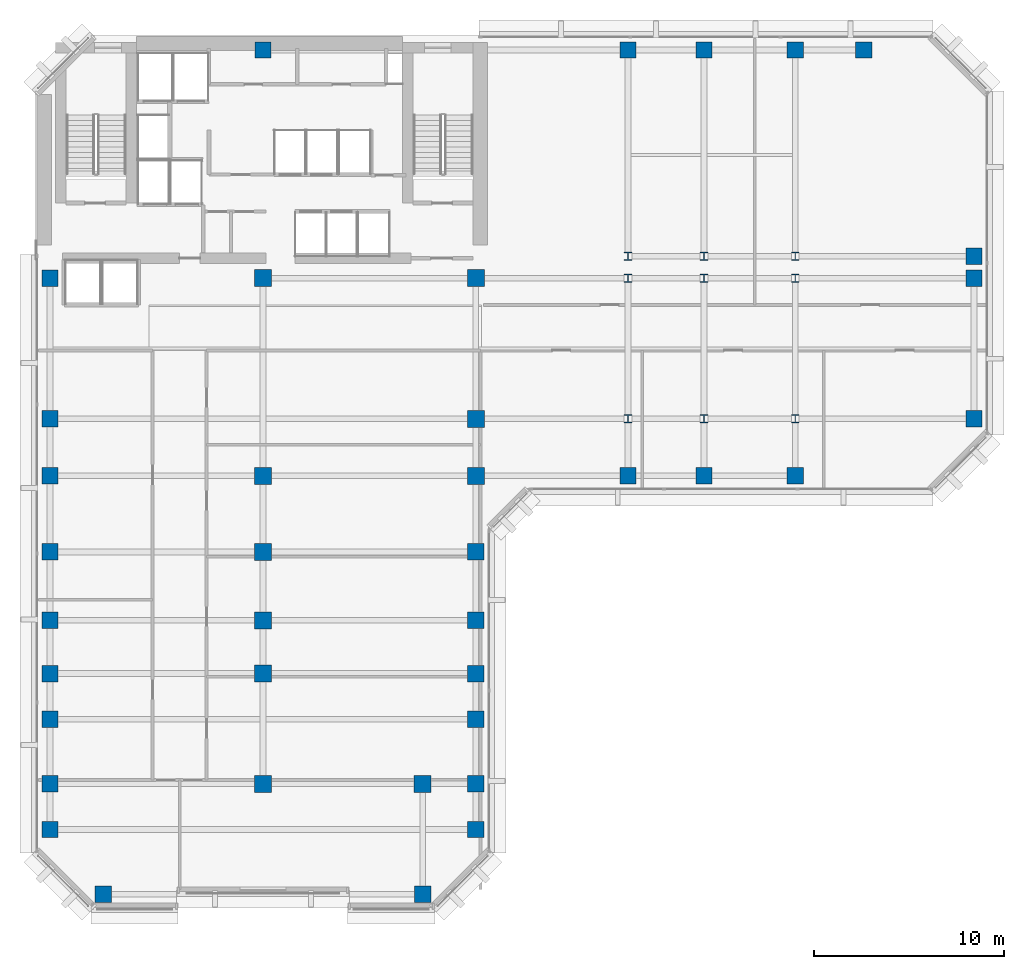
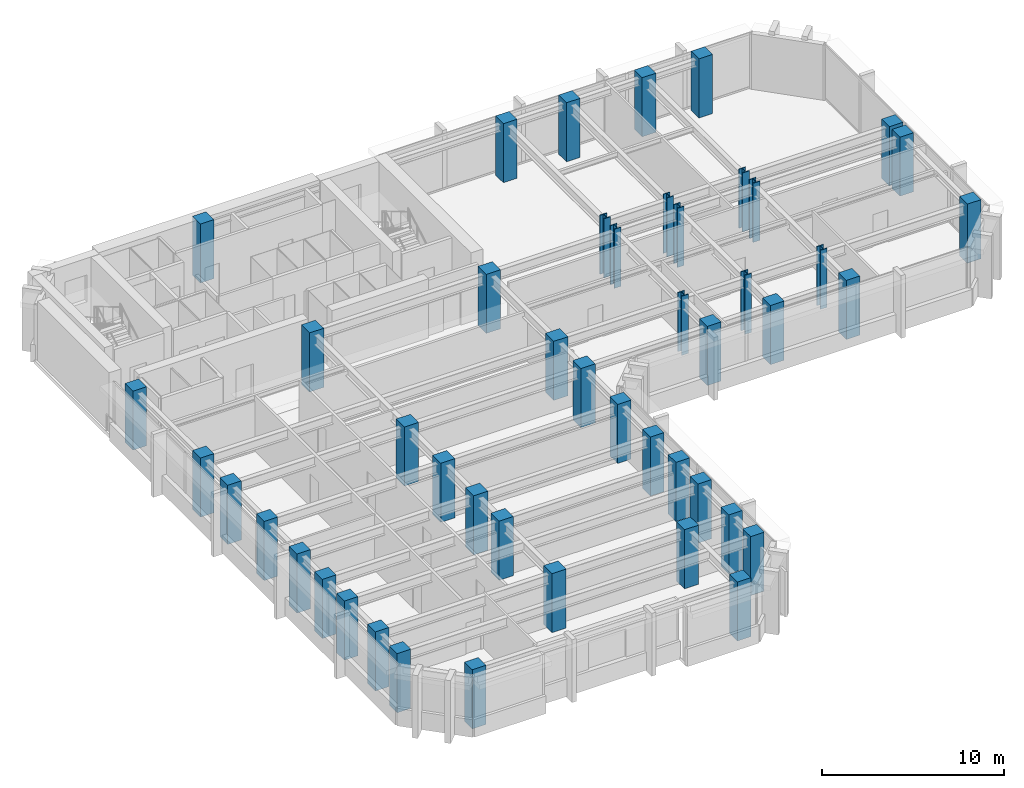
# One storey, part 1 of 11: 47 columns.
"""IFC4 building model written with IfcOpenShell, lengths in metres."""

from ifc_helpers import new_model, si_unit, direction, frame, origin, origin_2d, place, context, subcontext, project, spatial, rectangle, i_section, extrude, material, material_profile, profile_set, type_object, element, save


model = new_model("IFC4")

# Units and contexts
model_context = context("Model", 3, precision=1e-05, world=origin(), true_north=direction((0.0, 1.0)))
body_context = subcontext(model_context, "Body", "Model", "MODEL_VIEW")
ifc_project = project(units=[si_unit("LENGTHUNIT", "METRE"), si_unit("AREAUNIT", "SQUARE_METRE"), si_unit("VOLUMEUNIT", "CUBIC_METRE"), si_unit("PLANEANGLEUNIT", "RADIAN"), si_unit("MASSUNIT", "GRAM", prefix="KILO")], contexts=[model_context])

# Site, building, storey
site_placement = place(None, origin())
site = spatial("IfcSite", under=ifc_project, at=site_placement, CompositionType="ELEMENT")
building_placement = place(site_placement, origin())
building = spatial("IfcBuilding", under=site, at=building_placement, Name="Kefirva Bronze Tower", CompositionType="ELEMENT")
storey_placement = place(building_placement, frame((0.0, 0.0, 146.85009765625)))
storey = spatial("IfcBuildingStorey", under=building, at=storey_placement, Name="L35", CompositionType="ELEMENT", Elevation=146.85009765625)

# Columns
ifc_material_1 = material(Name="Concrete C60/75", Category="concrete")
ifc_material_profile_1 = material_profile(ifc_material_1, rectangle(XDim=0.860107421875, YDim=0.860107421875, at=origin_2d()), Name="RC 860x860")
ifc_profile_set_1 = profile_set([ifc_material_profile_1], Name="Concrete C60/75")
column_type_1 = type_object("IfcColumnType", Name="RC Column 860x860 Ext", PredefinedType="COLUMN", material=ifc_profile_set_1)
for number, where, z_axis, x_axis, name in (
    (1, (0.800048828125, 4.199951171875, 0.0), (0.0, 0.0, 1.0), (1.0, 0.0, 0.0), "L35 Column C008_042"),
    (2, (0.800048828125, 6.60009765625, 0.0), (0.0, 0.0, 1.0), (1.0, 0.0, 0.0), "L35 Column C008_066"),
    (3, (0.800048828125, 10.0, 0.0), (0.0, 0.0, 1.0), (1.0, 0.0, 0.0), "L35 Column C008_100"),
    (4, (0.800048828125, 12.39990234375, 0.0), (0.0, 0.0, 1.0), (1.0, 0.0, 0.0), "L35 Column C008_124"),
    (5, (0.800048828125, 15.199951171875, 0.0), (0.0, 0.0, 1.0), (1.0, 0.0, 0.0), "L35 Column C008_152"),
    (6, (0.800048828125, 18.800048828125, 0.0), (0.0, 0.0, 1.0), (1.0, 0.0, 0.0), "L35 Column C008_188"),
    (7, (0.800048828125, 22.800048828125, 0.0), (0.0, 0.0, 1.0), (1.0, 0.0, 0.0), "L35 Column C008_228"),
    (8, (0.800048828125, 25.800048828125, 0.0), (0.0, 0.0, 1.0), (1.0, 0.0, 0.0), "L35 Column C008_258"),
    (9, (0.800048828125, 33.199951171875, 0.0), (0.0, 0.0, 1.0), (1.0, 0.0, 0.0), "L35 Column C008_332"),
    (10, (3.60009765625, 0.800048828125, 0.0), (0.0, 0.0, 1.0), (1.0, 0.0, 0.0), "L35 Column C036_008"),
    (11, (12.0, 45.199951171875, 0.0), (0.0, 0.0, 1.0), (1.0, 0.0, 0.0), "L35 Column C120_452"),
    (12, (20.39990234375, 0.800048828125, 0.0), (0.0, 0.0, 1.0), (1.0, 0.0, 0.0), "L35 Column C204_008"),
    (13, (23.199951171875, 4.199951171875, 0.0), (0.0, 0.0, 1.0), (1.0, 0.0, 0.0), "L35 Column C232_042"),
    (14, (23.199951171875, 6.60009765625, 0.0), (0.0, 0.0, 1.0), (1.0, 0.0, 0.0), "L35 Column C232_066"),
    (15, (23.199951171875, 10.0, 0.0), (0.0, 0.0, 1.0), (1.0, 0.0, 0.0), "L35 Column C232_100"),
    (16, (23.199951171875, 12.39990234375, 0.0), (0.0, 0.0, 1.0), (1.0, 0.0, 0.0), "L35 Column C232_124"),
    (17, (23.199951171875, 15.199951171875, 0.0), (0.0, 0.0, 1.0), (1.0, 0.0, 0.0), "L35 Column C232_152"),
    (18, (23.199951171875, 18.800048828125, 0.0), (0.0, 0.0, 1.0), (1.0, 0.0, 0.0), "L35 Column C232_188"),
    (19, (31.199951171875, 22.800048828125, 0.0), (0.0, 0.0, 1.0), (1.0, 0.0, 0.0), "L35 Column C312_228"),
    (20, (31.199951171875, 45.199951171875, 0.0), (0.0, 0.0, 1.0), (1.0, 0.0, 0.0), "L35 Column C312_452"),
    (21, (35.199951171875, 22.800048828125, 0.0), (0.0, 0.0, 1.0), (1.0, 0.0, 0.0), "L35 Column C352_228"),
    (22, (35.199951171875, 45.199951171875, 0.0), (0.0, 0.0, 1.0), (1.0, 0.0, 0.0), "L35 Column C352_452"),
    (23, (40.0, 22.800048828125, 0.0), (0.0, 0.0, 1.0), (1.0, 0.0, 0.0), "L35 Column C400_228"),
    (24, (40.0, 45.199951171875, 0.0), (0.0, 0.0, 1.0), (1.0, 0.0, 0.0), "L35 Column C400_452"),
    (25, (43.60009765625, 45.199951171875, 0.0), (0.0, 0.0, 1.0), (1.0, 0.0, 0.0), "L35 Column C436_452"),
    (26, (49.39990234375, 25.800048828125, 0.0), (0.0, 0.0, 1.0), (1.0, 0.0, 0.0), "L35 Column C494_258"),
    (27, (49.39990234375, 33.199951171875, 0.0), (0.0, 0.0, 1.0), (1.0, 0.0, 0.0), "L35 Column C494_332"),
    (28, (49.39990234375, 34.35009765625, 0.0), (0.0, 0.0, 1.0), (1.0, 0.0, 0.0), "L35 Column C494_344"),
):
    element("IfcColumn", number, at=place(storey_placement, frame(where, z_axis=z_axis, x_axis=x_axis)), inside=storey, type_object=column_type_1, Name=name, PredefinedType="COLUMN", context=body_context, shape_type="SweptSolid", body=[
        extrude(rectangle(XDim=0.860107421875, YDim=0.860107421875, at=origin_2d()), origin(), (0.0, 0.0, 1.0), 3.9599609375),
    ])
ifc_material_profile_2 = material_profile(ifc_material_1, rectangle(XDim=0.89990234375, YDim=0.89990234375, at=origin_2d()), Name="RC 900x900")
ifc_profile_set_2 = profile_set([ifc_material_profile_2], Name="Concrete C60/75")
column_type_2 = type_object("IfcColumnType", Name="RC Column 900x900 Int", PredefinedType="COLUMN", material=ifc_profile_set_2)
for number, where, z_axis, x_axis, name in (
    (29, (12.0, 6.60009765625, 0.0), (0.0, 0.0, 1.0), (1.0, 0.0, 0.0), "L35 Column C120_066"),
    (30, (12.0, 12.39990234375, 0.0), (0.0, 0.0, 1.0), (1.0, 0.0, 0.0), "L35 Column C120_124"),
    (31, (12.0, 15.199951171875, 0.0), (0.0, 0.0, 1.0), (1.0, 0.0, 0.0), "L35 Column C120_152"),
    (32, (12.0, 18.800048828125, 0.0), (0.0, 0.0, 1.0), (1.0, 0.0, 0.0), "L35 Column C120_188"),
    (33, (12.0, 22.800048828125, 0.0), (0.0, 0.0, 1.0), (1.0, 0.0, 0.0), "L35 Column C120_228"),
    (34, (12.0, 33.199951171875, 0.0), (0.0, 0.0, 1.0), (1.0, 0.0, 0.0), "L35 Column C120_332"),
    (35, (20.39990234375, 6.60009765625, 0.0), (0.0, 0.0, 1.0), (1.0, 0.0, 0.0), "L35 Column C204_066"),
    (36, (23.199951171875, 22.800048828125, 0.0), (0.0, 0.0, 1.0), (1.0, 0.0, 0.0), "L35 Column C232_228"),
    (37, (23.199951171875, 25.800048828125, 0.0), (0.0, 0.0, 1.0), (1.0, 0.0, 0.0), "L35 Column C232_258"),
    (38, (23.199951171875, 33.199951171875, 0.0), (0.0, 0.0, 1.0), (1.0, 0.0, 0.0), "L35 Column C232_332"),
):
    element("IfcColumn", number, at=place(storey_placement, frame(where, z_axis=z_axis, x_axis=x_axis)), inside=storey, type_object=column_type_2, Name=name, PredefinedType="COLUMN", context=body_context, shape_type="SweptSolid", body=[
        extrude(rectangle(XDim=0.89990234375, YDim=0.89990234375, at=origin_2d()), origin(), (0.0, 0.0, 1.0), 3.9599609375),
    ])
ifc_material_2 = material(Name="Steel S460", Category="steel")
ifc_material_profile_3 = material_profile(ifc_material_2, i_section(OverallWidth=0.41796875, OverallDepth=0.455078125, WebThickness=0.031982421875, FlangeThickness=0.051025390625, at=origin_2d()), Name="HD 400x551")
ifc_profile_set_3 = profile_set([ifc_material_profile_3], Name="Steel S460")
column_type_3 = type_object("IfcColumnType", Name="Steel Column HD 400x551", PredefinedType="COLUMN", material=ifc_profile_set_3)
for number, where, z_axis, x_axis, name in (
    (39, (31.199951171875, 25.800048828125, 0.0), (0.0, 0.0, 1.0), (1.0, 0.0, 0.0), "L35 Column C312_258"),
    (40, (31.199951171875, 33.199951171875, 0.0), (0.0, 0.0, 1.0), (1.0, 0.0, 0.0), "L35 Column C312_332"),
    (41, (31.199951171875, 34.35009765625, 0.0), (0.0, 0.0, 1.0), (1.0, 0.0, 0.0), "L35 Column C312_344"),
    (42, (35.199951171875, 25.800048828125, 0.0), (0.0, 0.0, 1.0), (1.0, 0.0, 0.0), "L35 Column C352_258"),
    (43, (35.199951171875, 33.199951171875, 0.0), (0.0, 0.0, 1.0), (1.0, 0.0, 0.0), "L35 Column C352_332"),
    (44, (35.199951171875, 34.35009765625, 0.0), (0.0, 0.0, 1.0), (1.0, 0.0, 0.0), "L35 Column C352_344"),
    (45, (40.0, 25.800048828125, 0.0), (0.0, 0.0, 1.0), (1.0, 0.0, 0.0), "L35 Column C400_258"),
    (46, (40.0, 33.199951171875, 0.0), (0.0, 0.0, 1.0), (1.0, 0.0, 0.0), "L35 Column C400_332"),
    (47, (40.0, 34.35009765625, 0.0), (0.0, 0.0, 1.0), (1.0, 0.0, 0.0), "L35 Column C400_344"),
):
    element("IfcColumn", number, at=place(storey_placement, frame(where, z_axis=z_axis, x_axis=x_axis)), inside=storey, type_object=column_type_3, Name=name, PredefinedType="COLUMN", context=body_context, shape_type="SweptSolid", body=[
        extrude(i_section(OverallWidth=0.41796875, OverallDepth=0.455078125, WebThickness=0.031982421875, FlangeThickness=0.051025390625, at=origin_2d()), origin(), (0.0, 0.0, 1.0), 3.9599609375),
    ])

save(model, "model.ifc")
